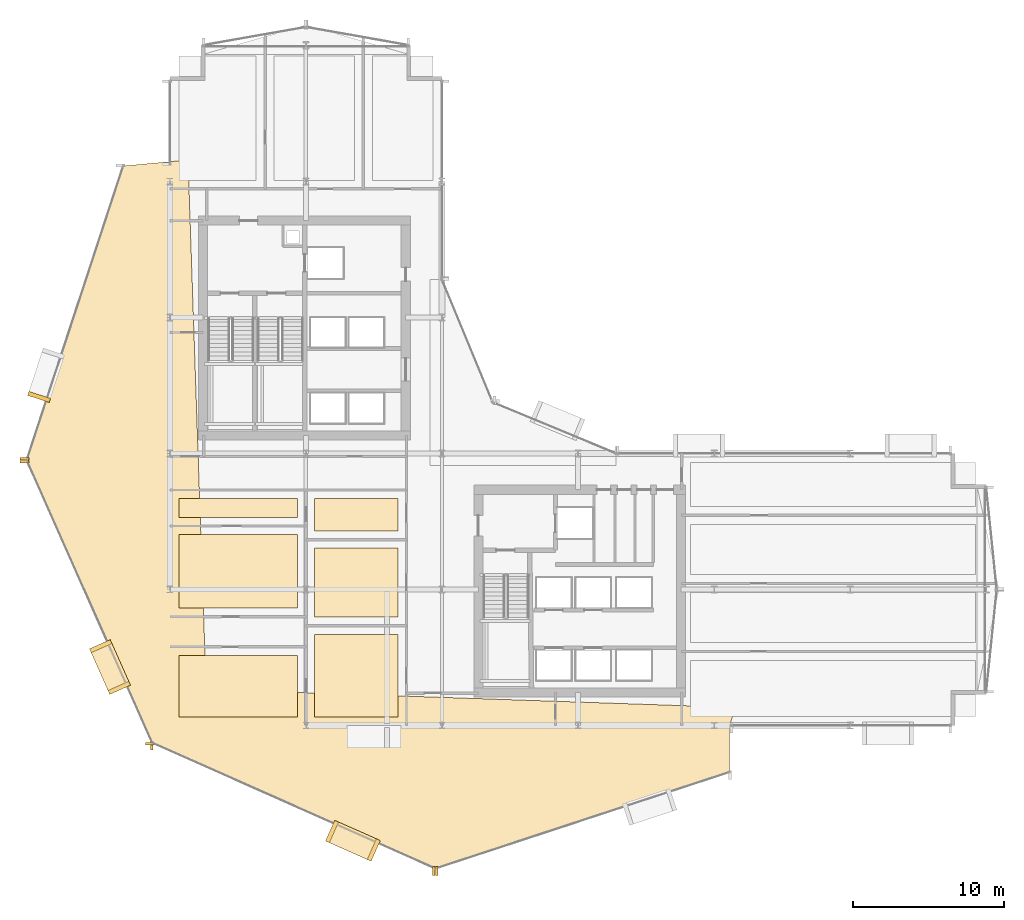
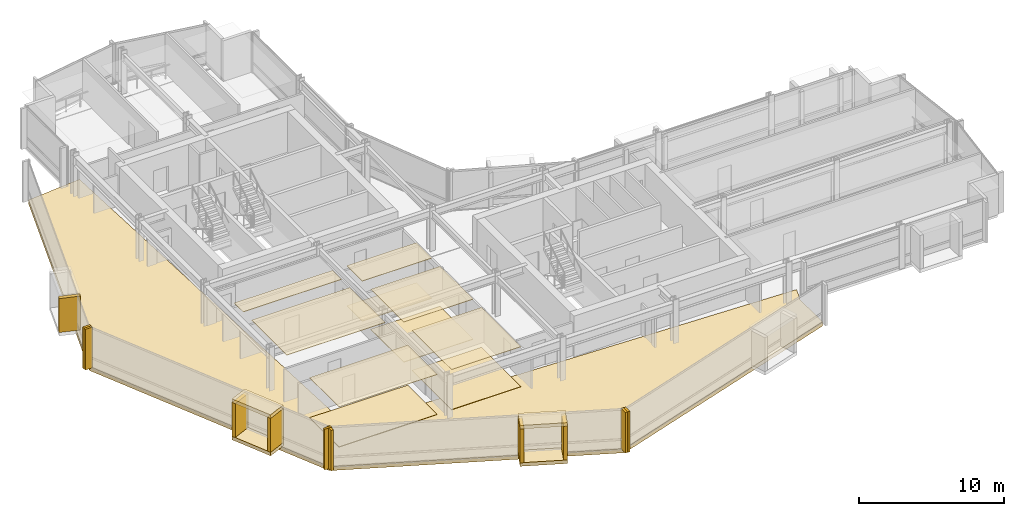
# One storey, part 30 of 34: 26 coverings.
"""IFC4 building model written with IfcOpenShell, lengths in metres."""

from ifc_helpers import new_model, si_unit, direction, frame, origin, origin_2d, place, context, subcontext, project, spatial, polyline, rectangle, outline, extrude, material, layer, layer_set, type_object, element, save


model = new_model("IFC4")

# Units and contexts
model_context = context("Model", 3, precision=1e-05, world=origin(), true_north=direction((0.0, 1.0)))
body_context = subcontext(model_context, "Body", "Model", "MODEL_VIEW")
ifc_project = project(units=[si_unit("LENGTHUNIT", "METRE"), si_unit("AREAUNIT", "SQUARE_METRE"), si_unit("VOLUMEUNIT", "CUBIC_METRE"), si_unit("PLANEANGLEUNIT", "RADIAN"), si_unit("MASSUNIT", "GRAM", prefix="KILO")], contexts=[model_context])

# Site, building, storey
site_placement = place(None, origin())
site = spatial("IfcSite", under=ifc_project, at=site_placement, CompositionType="ELEMENT")
building_placement = place(site_placement, origin())
building = spatial("IfcBuilding", under=site, at=building_placement, Name="Solvaryn Broadcast Tower", CompositionType="ELEMENT")
storey_placement = place(building_placement, frame((0.0, 0.0, 89.10009765625)))
storey = spatial("IfcBuildingStorey", under=building, at=storey_placement, Name="L21", CompositionType="ELEMENT", Elevation=89.10009765625)

# Coverings
ifc_material_1 = material(Name="Micro-Perforated Acoustic Gypsum Ceiling", Category="concrete")
ifc_layer_1 = layer(ifc_material_1, 0.0400390625)
ifc_layer_set_1 = layer_set([ifc_layer_1], Name="CV-CEIL-ACOUSTIC")
covering_type_1 = type_object("IfcCoveringType", Name="CV-CEIL-ACOUSTIC", PredefinedType="CEILING", material=ifc_layer_set_1)
covering_1_placement = place(storey_placement, frame((0.0, 0.0, 3.3798828125)))
element("IfcCovering", 1, at=covering_1_placement, inside=storey, type_object=covering_type_1, Name="L21 Room Acoustic Ceiling 1", PredefinedType="CEILING", context=body_context, shape_type="SweptSolid", body=[
    extrude(outline(polyline([(18.570068359375, 9.570068359375), (24.10009765625, 9.570068359375), (24.10009765625, 15.030029296875), (18.570068359375, 15.030029296875), (18.570068359375, 9.570068359375)])), origin(), (0.0, 0.0, 1.0), 0.0400390625),
])
covering_2_placement = place(storey_placement, frame((0.0, 0.0, 3.3798828125)))
element("IfcCovering", 2, at=covering_2_placement, inside=storey, type_object=covering_type_1, Name="L21 Room Acoustic Ceiling 2", PredefinedType="CEILING", context=body_context, shape_type="SweptSolid", body=[
    extrude(outline(polyline([(18.570068359375, 16.169921875), (24.10009765625, 16.169921875), (24.10009765625, 20.72998046875), (18.570068359375, 20.72998046875), (18.570068359375, 16.169921875)])), origin(), (0.0, 0.0, 1.0), 0.0400390625),
])
covering_3_placement = place(storey_placement, frame((0.0, 0.0, 3.3798828125)))
element("IfcCovering", 3, at=covering_3_placement, inside=storey, type_object=covering_type_1, Name="L21 Room Acoustic Ceiling 3", PredefinedType="CEILING", context=body_context, shape_type="SweptSolid", body=[
    extrude(outline(polyline([(18.570068359375, 21.8701171875), (24.10009765625, 21.8701171875), (24.10009765625, 24.010009765625), (18.570068359375, 24.010009765625), (18.570068359375, 21.8701171875)])), origin(), (0.0, 0.0, 1.0), 0.0400390625),
])
covering_4_placement = place(storey_placement, frame((0.0, 0.0, 3.3798828125)))
element("IfcCovering", 4, at=covering_4_placement, inside=storey, type_object=covering_type_1, Name="L21 Room Acoustic Ceiling 4", PredefinedType="CEILING", context=body_context, shape_type="SweptSolid", body=[
    extrude(outline(polyline([(9.60009765625, 9.570068359375), (17.429931640625, 9.570068359375), (17.429931640625, 13.6298828125), (9.60009765625, 13.6298828125), (9.60009765625, 9.570068359375)])), origin(), (0.0, 0.0, 1.0), 0.0400390625),
])
covering_5_placement = place(storey_placement, frame((0.0, 0.0, 3.3798828125)))
element("IfcCovering", 5, at=covering_5_placement, inside=storey, type_object=covering_type_1, Name="L21 Room Acoustic Ceiling 5", PredefinedType="CEILING", context=body_context, shape_type="SweptSolid", body=[
    extrude(outline(polyline([(9.60009765625, 16.77001953125), (17.429931640625, 16.77001953125), (17.429931640625, 21.6298828125), (9.60009765625, 21.6298828125), (9.60009765625, 16.77001953125)])), origin(), (0.0, 0.0, 1.0), 0.0400390625),
])
covering_6_placement = place(storey_placement, frame((0.0, 0.0, 3.3798828125)))
element("IfcCovering", 6, at=covering_6_placement, inside=storey, type_object=covering_type_1, Name="L21 Room Acoustic Ceiling 6", PredefinedType="CEILING", context=body_context, shape_type="SweptSolid", body=[
    extrude(outline(polyline([(9.60009765625, 22.77001953125), (17.429931640625, 22.77001953125), (17.429931640625, 24.010009765625), (9.60009765625, 24.010009765625), (9.60009765625, 22.77001953125)])), origin(), (0.0, 0.0, 1.0), 0.0400390625),
])
ifc_material_2 = material(Name="Newsroom Raised Data Access Flooring", Category="steel")
ifc_layer_2 = layer(ifc_material_2, 0.050048828125)
ifc_layer_set_2 = layer_set([ifc_layer_2], Name="CV-FLOOR-RAISED")
covering_type_2 = type_object("IfcCoveringType", Name="CV-FLOOR-RAISED", PredefinedType="FLOORING", material=ifc_layer_set_2)
covering_7_placement = place(storey_placement, origin())
element("IfcCovering", 7, at=covering_7_placement, inside=storey, type_object=covering_type_2, Name="L21 Room Acoustic Floor Finish 1", PredefinedType="FLOORING", context=body_context, shape_type="SweptSolid", body=[
    extrude(outline(polyline([(18.570068359375, 9.570068359375), (24.10009765625, 9.570068359375), (24.10009765625, 15.030029296875), (18.570068359375, 15.030029296875), (18.570068359375, 9.570068359375)])), origin(), (0.0, 0.0, 1.0), 0.0498046875),
])
covering_8_placement = place(storey_placement, origin())
element("IfcCovering", 8, at=covering_8_placement, inside=storey, type_object=covering_type_2, Name="L21 Room Acoustic Floor Finish 2", PredefinedType="FLOORING", context=body_context, shape_type="SweptSolid", body=[
    extrude(outline(polyline([(18.570068359375, 16.169921875), (24.10009765625, 16.169921875), (24.10009765625, 20.72998046875), (18.570068359375, 20.72998046875), (18.570068359375, 16.169921875)])), origin(), (0.0, 0.0, 1.0), 0.0498046875),
])
covering_9_placement = place(storey_placement, origin())
element("IfcCovering", 9, at=covering_9_placement, inside=storey, type_object=covering_type_2, Name="L21 Room Acoustic Floor Finish 3", PredefinedType="FLOORING", context=body_context, shape_type="SweptSolid", body=[
    extrude(outline(polyline([(18.570068359375, 21.8701171875), (24.10009765625, 21.8701171875), (24.10009765625, 24.010009765625), (18.570068359375, 24.010009765625), (18.570068359375, 21.8701171875)])), origin(), (0.0, 0.0, 1.0), 0.0498046875),
])
covering_10_placement = place(storey_placement, origin())
element("IfcCovering", 10, at=covering_10_placement, inside=storey, type_object=covering_type_2, Name="L21 Room Acoustic Floor Finish 4", PredefinedType="FLOORING", context=body_context, shape_type="SweptSolid", body=[
    extrude(outline(polyline([(9.60009765625, 9.570068359375), (17.429931640625, 9.570068359375), (17.429931640625, 13.6298828125), (9.60009765625, 13.6298828125), (9.60009765625, 9.570068359375)])), origin(), (0.0, 0.0, 1.0), 0.0498046875),
])
ifc_material_3 = material(Name="Glazed Architectural Terracotta Rainscreen Cladding", Category="masonry")
ifc_layer_3 = layer(ifc_material_3, 0.280029296875)
ifc_layer_set_3 = layer_set([ifc_layer_3], Name="CV-TC-CLAD")
covering_type_3 = type_object("IfcCoveringType", Name="CV-TC-CLAD", PredefinedType="CLADDING", material=ifc_layer_set_3)
covering_11_placement = place(storey_placement, frame((0.348388671875, 30.73828125, 0.27978515625), z_axis=(0.0, 0.0, 1.0), x_axis=(-0.311671636848, -0.950189870912, 0.0)))
element("IfcCovering", 11, at=covering_11_placement, inside=storey, type_object=covering_type_3, Name="L21 Projecting Stone Window Box Cheek 1-2", PredefinedType="CLADDING", context=body_context, shape_type="SweptSolid", body=[
    extrude(rectangle(XDim=0.280029296875, YDim=1.5, at=origin_2d()), origin(), (0.0, 0.0, 1.0), 2.860107421875),
])
for number, where, z_axis, x_axis, name in (
    (12, (5.035888671875, 12.8720703125, 3.1298828125), (0.0, 0.0, 1.0), (0.405939269498, -0.913900054426, 0.0), "L21 Projecting Stone Window Box Hood 2"),
    (13, (5.035888671875, 12.8720703125, -0.01025390625), (0.0, 0.0, 1.0), (0.405939269498, -0.913900054426, 0.0), "L21 Projecting Stone Window Box Sill 2"),
):
    element("IfcCovering", number, at=place(storey_placement, frame(where, z_axis=z_axis, x_axis=x_axis)), inside=storey, type_object=covering_type_3, Name=name, PredefinedType="CLADDING", context=body_context, shape_type="SweptSolid", body=[
        extrude(rectangle(XDim=3.300048828125, YDim=1.5, at=origin_2d()), origin(), (0.0, 0.0, 1.0), 0.300048828125),
    ])
for number, where, z_axis, x_axis, name in (
    (14, (4.423095703125, 14.251953125, 0.27978515625), (0.0, 0.0, 1.0), (0.405939269498, -0.913900054426, 0.0), "L21 Projecting Stone Window Box Cheek 2-1"),
    (15, (5.64892578125, 11.491943359375, 0.27978515625), (0.0, 0.0, 1.0), (0.405939269498, -0.913900054426, 0.0), "L21 Projecting Stone Window Box Cheek 2-2"),
):
    element("IfcCovering", number, at=place(storey_placement, frame(where, z_axis=z_axis, x_axis=x_axis)), inside=storey, type_object=covering_type_3, Name=name, PredefinedType="CLADDING", context=body_context, shape_type="SweptSolid", body=[
        extrude(rectangle(XDim=0.280029296875, YDim=1.5, at=origin_2d()), origin(), (0.0, 0.0, 1.0), 2.860107421875),
    ])
for number, where, z_axis, x_axis, name in (
    (16, (21.10498046875, 1.37890625, 3.1298828125), (0.0, 0.0, 1.0), (0.913900054426, -0.405939269498, 0.0), "L21 Projecting Stone Window Box Hood 3"),
    (17, (21.10498046875, 1.37890625, -0.01025390625), (0.0, 0.0, 1.0), (0.913900054426, -0.405939269498, 0.0), "L21 Projecting Stone Window Box Sill 3"),
):
    element("IfcCovering", number, at=place(storey_placement, frame(where, z_axis=z_axis, x_axis=x_axis)), inside=storey, type_object=covering_type_3, Name=name, PredefinedType="CLADDING", context=body_context, shape_type="SweptSolid", body=[
        extrude(rectangle(XDim=3.300048828125, YDim=1.5, at=origin_2d()), origin(), (0.0, 0.0, 1.0), 0.300048828125),
    ])
for number, where, z_axis, x_axis, name in (
    (18, (19.72509765625, 1.991943359375, 0.27978515625), (0.0, 0.0, 1.0), (0.913900054426, -0.405939269498, 0.0), "L21 Projecting Stone Window Box Cheek 3-1"),
    (19, (22.485107421875, 0.76611328125, 0.27978515625), (0.0, 0.0, 1.0), (0.913900054426, -0.405939269498, 0.0), "L21 Projecting Stone Window Box Cheek 3-2"),
):
    element("IfcCovering", number, at=place(storey_placement, frame(where, z_axis=z_axis, x_axis=x_axis)), inside=storey, type_object=covering_type_3, Name=name, PredefinedType="CLADDING", context=body_context, shape_type="SweptSolid", body=[
        extrude(rectangle(XDim=0.280029296875, YDim=1.5, at=origin_2d()), origin(), (0.0, 0.0, 1.0), 2.860107421875),
    ])
ifc_material_4 = material(Name="Extruded Architectural Terracotta Fin", Category="masonry")
ifc_layer_4 = layer(ifc_material_4, 0.179931640625)
ifc_layer_set_4 = layer_set([ifc_layer_4], Name="CV-TC-FIN")
covering_type_4 = type_object("IfcCoveringType", Name="CV-TC-FIN", PredefinedType="USERDEFINED", material=ifc_layer_set_4)
for number, where, z_axis, x_axis, name in (
    (20, (-0.625732421875, 26.644775390625, 0.0), (0.0, 0.0, 1.0), (1.0, 0.0, 0.0), "L21 Terracotta Vertical Fin FIN-L21-DR1-M01"),
    (21, (-0.6162109375, 26.459716796875, 0.0), (0.0, 0.0, 1.0), (1.0, 0.0, 0.0), "L21 Terracotta Vertical Fin FIN-L21-DR2-M00"),
    (22, (7.670654296875, 7.8017578125, 0.0), (0.0, 0.0, 1.0), (1.0, 0.0, 0.0), "L21 Terracotta Vertical Fin FIN-L21-DR2-M01"),
):
    element("IfcCovering", number, at=place(storey_placement, frame(where, z_axis=z_axis, x_axis=x_axis)), inside=storey, type_object=covering_type_4, Name=name, ObjectType="FIN", PredefinedType="USERDEFINED", context=body_context, shape_type="SweptSolid", body=[
        extrude(rectangle(XDim=0.580078125, YDim=0.179931640625, at=origin_2d()), origin(), (0.0, 0.0, 1.0), 3.419921875),
    ])
for number, where, z_axis, x_axis, name in (
    (23, (7.8017578125, 7.670654296875, 0.0), (0.0, 0.0, 1.0), (1.0, 0.0, 0.0), "L21 Terracotta Vertical Fin FIN-L21-DR3-M00"),
    (24, (26.459716796875, -0.6162109375, 0.0), (0.0, 0.0, 1.0), (1.0, 0.0, 0.0), "L21 Terracotta Vertical Fin FIN-L21-DR3-M01"),
    (25, (26.644775390625, -0.625732421875, 0.0), (0.0, 0.0, 1.0), (1.0, 0.0, 0.0), "L21 Terracotta Vertical Fin FIN-L21-DR4-M00"),
):
    element("IfcCovering", number, at=place(storey_placement, frame(where, z_axis=z_axis, x_axis=x_axis)), inside=storey, type_object=covering_type_4, Name=name, ObjectType="FIN", PredefinedType="USERDEFINED", context=body_context, shape_type="SweptSolid", body=[
        extrude(rectangle(XDim=0.179931640625, YDim=0.580078125, at=origin_2d()), origin(), (0.0, 0.0, 1.0), 3.419921875),
    ])
ifc_material_5 = material(Name="Sculpted Architectural Terracotta Wave Fascia", Category="masonry")
ifc_layer_5 = layer(ifc_material_5, 0.340087890625)
ifc_layer_set_5 = layer_set([ifc_layer_5], Name="CV-WAVE-TRAY")
covering_type_5 = type_object("IfcCoveringType", Name="CV-WAVE-TRAY", PredefinedType="CLADDING", material=ifc_layer_set_5)
covering_12_placement = place(storey_placement, frame((0.0, 0.0, -0.300048828125)))
element("IfcCovering", 26, at=covering_12_placement, inside=storey, type_object=covering_type_5, Name="L21 Stepped Cylindrical Drum Floor Apron", PredefinedType="CLADDING", context=body_context, shape_type="SweptSolid", body=[
    extrude(outline(polyline([(10.199951171875, 46.416015625), (5.916015625, 46.01611328125), (-0.464111328125, 26.56005859375), (7.846923828125, 7.846923828125), (26.56005859375, -0.464111328125), (46.01611328125, 5.916015625), (46.01611328125, 9.0), (46.416015625, 10.199951171875), (11.39990234375, 11.39990234375), (10.199951171875, 46.416015625)])), origin(), (0.0, 0.0, 1.0), 0.329833984375),
])

save(model, "model.ifc")
